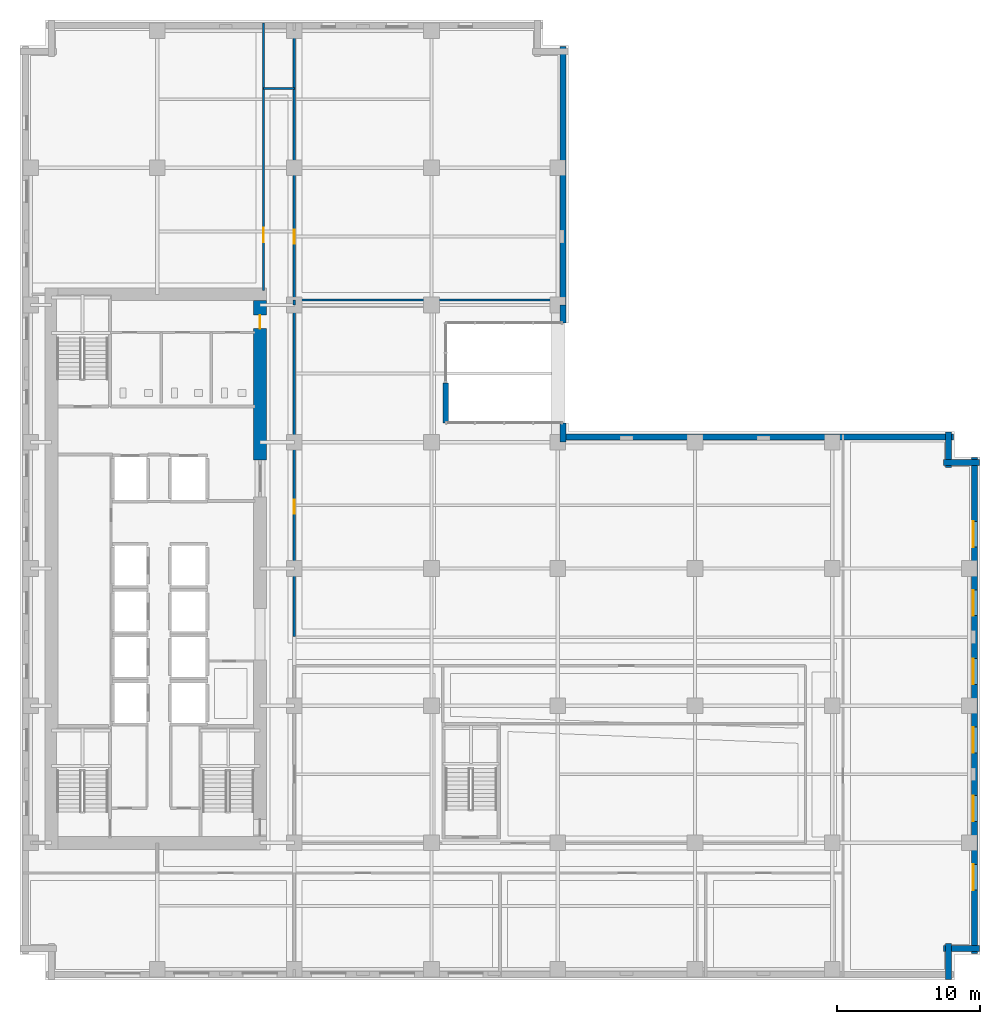
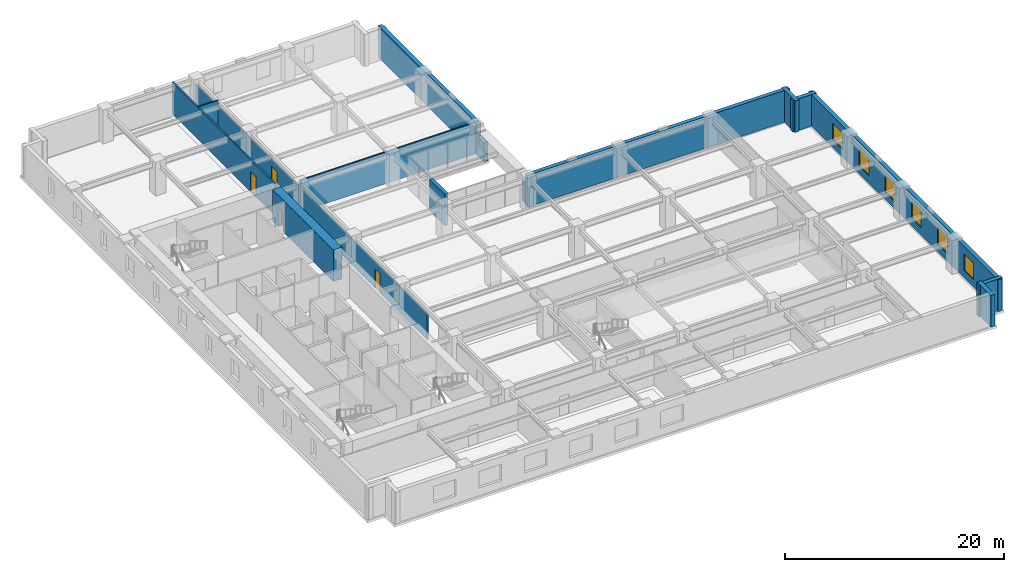
# One storey, part 7 of 14: 17 walls, 6 windows, 4 doors, 10 openings.
"""IFC4 building model written with IfcOpenShell, lengths in metres."""

from ifc_helpers import new_model, si_unit, direction, frame, frame_2d, origin, place, context, subcontext, project, spatial, rectangle, extrude, material, layer, layer_set, type_object, element, fill, save


model = new_model("IFC4")

# Units and contexts
model_context = context("Model", 3, precision=1e-05, world=origin(), true_north=direction((0.0, 1.0)))
body_context = subcontext(model_context, "Body", "Model", "MODEL_VIEW")
ifc_project = project(units=[si_unit("LENGTHUNIT", "METRE"), si_unit("AREAUNIT", "SQUARE_METRE"), si_unit("VOLUMEUNIT", "CUBIC_METRE"), si_unit("PLANEANGLEUNIT", "RADIAN"), si_unit("MASSUNIT", "GRAM", prefix="KILO")], contexts=[model_context])

# Site, building, storey
site_placement = place(None, origin())
site = spatial("IfcSite", under=ifc_project, at=site_placement, CompositionType="ELEMENT")
building_placement = place(site_placement, origin())
building = spatial("IfcBuilding", under=site, at=building_placement, Name="Norrvale University Quadrangle", CompositionType="ELEMENT")
storey_placement = place(building_placement, frame((0.0, 0.0, 62.199951171875)))
storey = spatial("IfcBuildingStorey", under=building, at=storey_placement, Name="L15", CompositionType="ELEMENT", Elevation=62.199951171875)

# Walls
ifc_material_1 = material(Name="Buff Norman Clay Brick Masonry", Category="masonry")
ifc_layer_1 = layer(ifc_material_1, 0.419921875, Name="Buff Norman Clay Brick Masonry")
ifc_layer_set_1 = layer_set([ifc_layer_1], Name="Buff Norman Clay Brick Masonry")
wall_type_1 = type_object("IfcWallType", Name="Wall Buff Brick 420", PredefinedType="SOLIDWALL", material=ifc_layer_set_1)
for number, where, z_axis, x_axis, name in (
    (1, (65.010009765625, 0.0400390625, 0.0), (0.0, 0.0, 1.0), (0.0, 1.0, 0.0), "Exterior Brick Facade Wall L15-02.1"),
    (2, (64.659912109375, 2.18994140625, 0.0), (0.0, 0.0, 1.0), (1.0, 0.0, 0.0), "Exterior Brick Facade Wall L15-03.1"),
):
    element("IfcWall", number, at=place(storey_placement, frame(where, z_axis=z_axis, x_axis=x_axis)), inside=storey, type_object=wall_type_1, Name=name, PredefinedType="SOLIDWALL", context=body_context, shape_type="SweptSolid", body=[
        extrude(rectangle(XDim=2.5, YDim=0.419921875, at=frame_2d((1.25, 0.0))), origin(), (0.0, 0.0, 1.0), 3.5400390625),
    ])

# Wall, openings, windows
wall_1_placement = place(storey_placement, frame((66.81005859375, 1.840087890625, 0.0), z_axis=(0.0, 0.0, 1.0), x_axis=(0.0, 1.0, 0.0)))
wall_1 = element("IfcWall", 3, at=wall_1_placement, inside=storey, type_object=wall_type_1, Name="Exterior Brick Facade Wall L15-04.1", PredefinedType="SOLIDWALL", context=body_context, shape_type="SweptSolid", body=[
    extrude(rectangle(XDim=34.719970703125, YDim=0.419921875, at=frame_2d((17.35986328125, 0.0))), origin(), (0.0, 0.0, 1.0), 3.5400390625),
])
opening_1_placement = place(wall_1_placement, frame((4.4599609375, 0.0, 0.85009765625)))
opening_1 = element("IfcOpeningElement", 4, at=opening_1_placement, cuts=wall_1, Name="Opening W01", PredefinedType="OPENING", context=body_context, shape_type="SweptSolid", body=[
    extrude(rectangle(XDim=1.800048828125, YDim=1.85009765625, at=frame_2d((0.89990234375, 0.925048828125))), frame((0.0, 0.221923828125, 0.0), z_axis=(0.0, -1.0, 0.0), x_axis=(1.0, 0.0, 0.0)), (0.0, 0.0, 1.0), 0.44384765625),
])
opening_2_placement = place(wall_1_placement, frame((9.260009765625, 0.0, 0.85009765625)))
opening_2 = element("IfcOpeningElement", 5, at=opening_2_placement, cuts=wall_1, Name="Opening W01", PredefinedType="OPENING", context=body_context, shape_type="SweptSolid", body=[
    extrude(rectangle(XDim=1.800048828125, YDim=1.85009765625, at=frame_2d((0.89990234375, 0.925048828125))), frame((0.0, 0.221923828125, 0.0), z_axis=(0.0, -1.0, 0.0), x_axis=(1.0, 0.0, 0.0)), (0.0, 0.0, 1.0), 0.44384765625),
])
opening_3_placement = place(wall_1_placement, frame((14.06005859375, 0.0, 0.85009765625)))
opening_3 = element("IfcOpeningElement", 6, at=opening_3_placement, cuts=wall_1, Name="Opening W01", PredefinedType="OPENING", context=body_context, shape_type="SweptSolid", body=[
    extrude(rectangle(XDim=1.800048828125, YDim=1.85009765625, at=frame_2d((0.89990234375, 0.925048828125))), frame((0.0, 0.221923828125, 0.0), z_axis=(0.0, -1.0, 0.0), x_axis=(1.0, 0.0, 0.0)), (0.0, 0.0, 1.0), 0.44384765625),
])
opening_4_placement = place(wall_1_placement, frame((18.860107421875, 0.0, 0.85009765625)))
opening_4 = element("IfcOpeningElement", 7, at=opening_4_placement, cuts=wall_1, Name="Opening W01", PredefinedType="OPENING", context=body_context, shape_type="SweptSolid", body=[
    extrude(rectangle(XDim=1.800048828125, YDim=1.85009765625, at=frame_2d((0.89990234375, 0.925048828125))), frame((0.0, 0.221923828125, 0.0), z_axis=(0.0, -1.0, 0.0), x_axis=(1.0, 0.0, 0.0)), (0.0, 0.0, 1.0), 0.44384765625),
])
opening_5_placement = place(wall_1_placement, frame((23.659912109375, 0.0, 0.85009765625)))
opening_5 = element("IfcOpeningElement", 8, at=opening_5_placement, cuts=wall_1, Name="Opening W01", PredefinedType="OPENING", context=body_context, shape_type="SweptSolid", body=[
    extrude(rectangle(XDim=1.800048828125, YDim=1.85009765625, at=frame_2d((0.89990234375, 0.925048828125))), frame((0.0, 0.221923828125, 0.0), z_axis=(0.0, -1.0, 0.0), x_axis=(1.0, 0.0, 0.0)), (0.0, 0.0, 1.0), 0.44384765625),
])
opening_6_placement = place(wall_1_placement, frame((28.4599609375, 0.0, 0.85009765625)))
opening_6 = element("IfcOpeningElement", 9, at=opening_6_placement, cuts=wall_1, Name="Opening W01", PredefinedType="OPENING", context=body_context, shape_type="SweptSolid", body=[
    extrude(rectangle(XDim=1.800048828125, YDim=1.85009765625, at=frame_2d((0.89990234375, 0.925048828125))), frame((0.0, 0.221923828125, 0.0), z_axis=(0.0, -1.0, 0.0), x_axis=(1.0, 0.0, 0.0)), (0.0, 0.0, 1.0), 0.44384765625),
])
ifc_material_2 = material(Name="Triple Low-E Argon Glazing", Category="glass")
window_type = type_object("IfcWindowType", Name="Window Academic 1800x2300", PartitioningType="DOUBLE_PANEL_VERTICAL", PredefinedType="WINDOW", material=ifc_material_2)
window_1_placement = place(opening_1_placement, origin())
window_1 = element("IfcWindow", 10, at=window_1_placement, inside=storey, type_object=window_type, Name="Window Academic 1800x2300 WIN-L15-E04-1-01", OverallHeight=1.85009765625, OverallWidth=1.800048828125, PartitioningType="DOUBLE_PANEL_VERTICAL", PredefinedType="WINDOW", context=body_context, shape_type="SweptSolid", body=[
    extrude(rectangle(XDim=1.800048828125, YDim=1.85009765625, at=frame_2d((0.89990234375, 0.925048828125))), frame((0.0, 0.110107421875, 0.0), z_axis=(0.0, -1.0, 0.0), x_axis=(1.0, 0.0, 0.0)), (0.0, 0.0, 1.0), 0.06005859375),
])
fill(opening_1, window_1)
window_2_placement = place(opening_2_placement, origin())
window_2 = element("IfcWindow", 11, at=window_2_placement, inside=storey, type_object=window_type, Name="Window Academic 1800x2300 WIN-L15-E04-1-02", OverallHeight=1.85009765625, OverallWidth=1.800048828125, PartitioningType="DOUBLE_PANEL_VERTICAL", PredefinedType="WINDOW", context=body_context, shape_type="SweptSolid", body=[
    extrude(rectangle(XDim=1.800048828125, YDim=1.85009765625, at=frame_2d((0.89990234375, 0.925048828125))), frame((0.0, 0.110107421875, 0.0), z_axis=(0.0, -1.0, 0.0), x_axis=(1.0, 0.0, 0.0)), (0.0, 0.0, 1.0), 0.06005859375),
])
fill(opening_2, window_2)
window_3_placement = place(opening_3_placement, origin())
window_3 = element("IfcWindow", 12, at=window_3_placement, inside=storey, type_object=window_type, Name="Window Academic 1800x2300 WIN-L15-E04-1-03", OverallHeight=1.85009765625, OverallWidth=1.800048828125, PartitioningType="DOUBLE_PANEL_VERTICAL", PredefinedType="WINDOW", context=body_context, shape_type="SweptSolid", body=[
    extrude(rectangle(XDim=1.800048828125, YDim=1.85009765625, at=frame_2d((0.89990234375, 0.925048828125))), frame((0.0, 0.110107421875, 0.0), z_axis=(0.0, -1.0, 0.0), x_axis=(1.0, 0.0, 0.0)), (0.0, 0.0, 1.0), 0.06005859375),
])
fill(opening_3, window_3)
window_4_placement = place(opening_4_placement, origin())
window_4 = element("IfcWindow", 13, at=window_4_placement, inside=storey, type_object=window_type, Name="Window Academic 1800x2300 WIN-L15-E04-1-04", OverallHeight=1.85009765625, OverallWidth=1.800048828125, PartitioningType="DOUBLE_PANEL_VERTICAL", PredefinedType="WINDOW", context=body_context, shape_type="SweptSolid", body=[
    extrude(rectangle(XDim=1.800048828125, YDim=1.85009765625, at=frame_2d((0.89990234375, 0.925048828125))), frame((0.0, 0.110107421875, 0.0), z_axis=(0.0, -1.0, 0.0), x_axis=(1.0, 0.0, 0.0)), (0.0, 0.0, 1.0), 0.06005859375),
])
fill(opening_4, window_4)
window_5_placement = place(opening_5_placement, origin())
window_5 = element("IfcWindow", 14, at=window_5_placement, inside=storey, type_object=window_type, Name="Window Academic 1800x2300 WIN-L15-E04-1-05", OverallHeight=1.85009765625, OverallWidth=1.800048828125, PartitioningType="DOUBLE_PANEL_VERTICAL", PredefinedType="WINDOW", context=body_context, shape_type="SweptSolid", body=[
    extrude(rectangle(XDim=1.800048828125, YDim=1.85009765625, at=frame_2d((0.89990234375, 0.925048828125))), frame((0.0, 0.110107421875, 0.0), z_axis=(0.0, -1.0, 0.0), x_axis=(1.0, 0.0, 0.0)), (0.0, 0.0, 1.0), 0.06005859375),
])
fill(opening_5, window_5)
window_6_placement = place(opening_6_placement, origin())
window_6 = element("IfcWindow", 15, at=window_6_placement, inside=storey, type_object=window_type, Name="Window Academic 1800x2300 WIN-L15-E04-1-06", OverallHeight=1.85009765625, OverallWidth=1.800048828125, PartitioningType="DOUBLE_PANEL_VERTICAL", PredefinedType="WINDOW", context=body_context, shape_type="SweptSolid", body=[
    extrude(rectangle(XDim=1.800048828125, YDim=1.85009765625, at=frame_2d((0.89990234375, 0.925048828125))), frame((0.0, 0.110107421875, 0.0), z_axis=(0.0, -1.0, 0.0), x_axis=(1.0, 0.0, 0.0)), (0.0, 0.0, 1.0), 0.06005859375),
])
fill(opening_6, window_6)

# Walls
for number, where, z_axis, x_axis, name in (
    (16, (67.159912109375, 36.2099609375, 0.0), (0.0, 0.0, 1.0), (-1.0, 0.0, 0.0), "Exterior Brick Facade Wall L15-05.1"),
    (17, (65.010009765625, 35.860107421875, 0.0), (0.0, 0.0, 1.0), (0.0, 1.0, 0.0), "Exterior Brick Facade Wall L15-06.1"),
):
    element("IfcWall", number, at=place(storey_placement, frame(where, z_axis=z_axis, x_axis=x_axis)), inside=storey, type_object=wall_type_1, Name=name, PredefinedType="SOLIDWALL", context=body_context, shape_type="SweptSolid", body=[
        extrude(rectangle(XDim=2.5, YDim=0.419921875, at=frame_2d((1.25, 0.0))), origin(), (0.0, 0.0, 1.0), 3.5400390625),
    ])
wall_2_placement = place(storey_placement, frame((65.360107421875, 38.010009765625, 0.0), z_axis=(0.0, 0.0, 1.0), x_axis=(-1.0, 0.0, 0.0)))
element("IfcWall", 18, at=wall_2_placement, inside=storey, type_object=wall_type_1, Name="Exterior Brick Facade Wall L15-07.1", PredefinedType="SOLIDWALL", context=body_context, shape_type="SweptSolid", body=[
    extrude(rectangle(XDim=27.7001953125, YDim=0.419921875, at=frame_2d((13.85009765625, 0.0))), origin(), (0.0, 0.0, 1.0), 3.5400390625),
])
wall_3_placement = place(storey_placement, frame((38.010009765625, 37.659912109375, 0.0), z_axis=(0.0, 0.0, 1.0), x_axis=(0.0, 1.0, 0.0)))
element("IfcWall", 19, at=wall_3_placement, inside=storey, type_object=wall_type_1, Name="Exterior Brick Facade Wall L15-08.1", PredefinedType="SOLIDWALL", context=body_context, shape_type="SweptSolid", body=[
    extrude(rectangle(XDim=1.340087890625, YDim=0.419921875, at=frame_2d((0.669921875, 0.0))), origin(), (0.0, 0.0, 1.0), 2.14013671875),
])
wall_4_placement = place(storey_placement, frame((38.010009765625, 46.0, 0.0), z_axis=(0.0, 0.0, 1.0), x_axis=(0.0, 1.0, 0.0)))
element("IfcWall", 20, at=wall_4_placement, inside=storey, type_object=wall_type_1, Name="Exterior Brick Facade Wall L15-08.2", PredefinedType="SOLIDWALL", context=body_context, shape_type="SweptSolid", body=[
    extrude(rectangle(XDim=1.25, YDim=0.419921875, at=frame_2d((0.625, 0.0))), origin(), (0.0, 0.0, 1.0), 2.14013671875),
])
wall_5_placement = place(storey_placement, frame((29.800048828125, 39.0, 0.0), z_axis=(0.0, 0.0, 1.0), x_axis=(0.0, 1.0, 0.0)))
element("IfcWall", 21, at=wall_5_placement, inside=storey, type_object=wall_type_1, Name="Sky Garden Loggia Access Wall L15", PredefinedType="SOLIDWALL", context=body_context, shape_type="SweptSolid", body=[
    extrude(rectangle(XDim=2.800048828125, YDim=0.360107421875, at=frame_2d((1.39990234375, 0.0))), origin(), (0.0, 0.0, 1.0), 3.5400390625),
])
wall_6_placement = place(storey_placement, frame((38.010009765625, 47.25, 0.0), z_axis=(0.0, 0.0, 1.0), x_axis=(0.0, 1.0, 0.0)))
element("IfcWall", 22, at=wall_6_placement, inside=storey, type_object=wall_type_1, Name="Exterior Brick Facade Wall L15-08.2 B2", PredefinedType="SOLIDWALL", context=body_context, shape_type="SweptSolid", body=[
    extrude(rectangle(XDim=18.110107421875, YDim=0.419921875, at=frame_2d((9.05517578125, 0.0))), origin(), (0.0, 0.0, 1.0), 3.5400390625),
])

# Wall, opening, door
ifc_material_3 = material(Name="Concrete C80/95", Category="concrete")
ifc_layer_2 = layer(ifc_material_3, 0.89990234375, Name="Concrete C80/95")
ifc_layer_set_2 = layer_set([ifc_layer_2], Name="Concrete C80/95")
wall_type_2 = type_object("IfcWallType", Name="Wall Core 900", PredefinedType="SHEAR", material=ifc_layer_set_2)
wall_7_placement = place(storey_placement, frame((16.800048828125, 36.39990234375, 0.0), z_axis=(0.0, 0.0, 1.0), x_axis=(0.0, 1.0, 0.0)))
wall_7 = element("IfcWall", 23, at=wall_7_placement, inside=storey, type_object=wall_type_2, Name="Tower Core Shear Wall L15-E3", PredefinedType="SHEAR", context=body_context, shape_type="SweptSolid", body=[
    extrude(rectangle(XDim=11.150146484375, YDim=0.89990234375, at=frame_2d((5.5751953125, 0.0))), origin(), (0.0, 0.0, 1.0), 3.5400390625),
])
opening_7_placement = place(wall_7_placement, frame((9.199951171875, 0.0, 0.0)))
opening_7 = element("IfcOpeningElement", 24, at=opening_7_placement, cuts=wall_7, Name="Opening D07", PredefinedType="OPENING", context=body_context, shape_type="SweptSolid", body=[
    extrude(rectangle(XDim=0.949951171875, YDim=2.14990234375, at=frame_2d((0.47509765625, 1.074951171875))), frame((0.0, 0.4619140625, 0.0), z_axis=(0.0, -1.0, 0.0), x_axis=(1.0, 0.0, 0.0)), (0.0, 0.0, 1.0), 0.923828125),
])
ifc_material_4 = material(Name="Solid-Core Maple Door", Category="wood")
door_type_1 = type_object("IfcDoorType", Name="Door Office 950x2150", OperationType="NOTDEFINED", PredefinedType="DOOR", material=ifc_material_4)
door_1_placement = place(opening_7_placement, origin())
door_1 = element("IfcDoor", 25, at=door_1_placement, inside=storey, type_object=door_type_1, Name="Door Office 950x2150 DR-L15-NECORR", OperationType="SINGLE_SWING_RIGHT", OverallHeight=2.14990234375, OverallWidth=0.949951171875, PredefinedType="DOOR", context=body_context, shape_type="SweptSolid", body=[
    extrude(rectangle(XDim=0.949951171875, YDim=2.14990234375, at=frame_2d((0.47509765625, 1.074951171875))), frame((0.0, 0.02490234375, 0.0), z_axis=(0.0, -1.0, 0.0), x_axis=(1.0, 0.0, 0.0)), (0.0, 0.0, 1.0), 0.050048828125),
])
fill(opening_7, door_1)

# Walls
ifc_material_5 = material(Name="Standard Academic Gypsum Partition")
ifc_layer_3 = layer(ifc_material_5, 0.125, Name="Standard Academic Gypsum Partition")
ifc_layer_set_3 = layer_set([ifc_layer_3], Name="Standard Academic Gypsum Partition")
wall_type_3 = type_object("IfcWallType", Name="Wall Gypsum Academic 125", PredefinedType="PARTITIONING", material=ifc_layer_set_3)
wall_8_placement = place(storey_placement, frame((19.199951171875, 47.60009765625, 0.0), z_axis=(0.0, 0.0, 1.0), x_axis=(1.0, 0.0, 0.0)))
element("IfcWall", 26, at=wall_8_placement, inside=storey, type_object=wall_type_3, Name="Interior Partition WL-L15-SG-NSEP", PredefinedType="PARTITIONING", context=body_context, shape_type="SweptSolid", body=[
    extrude(rectangle(XDim=18.97998046875, YDim=0.125, at=frame_2d((9.489990234375, 0.0))), origin(), (0.0, 0.0, 1.0), 3.5400390625),
])
ifc_material_6 = material(Name="Fire-Rated Gypsum Stud Partition")
ifc_layer_4 = layer(ifc_material_6, 0.14990234375, Name="Fire-Rated Gypsum Stud Partition")
ifc_layer_set_4 = layer_set([ifc_layer_4], Name="Fire-Rated Gypsum Stud Partition")
wall_type_4 = type_object("IfcWallType", Name="Wall Gypsum Corridor 150", PredefinedType="PARTITIONING", material=ifc_layer_set_4)
wall_9_placement = place(storey_placement, frame((17.050048828125, 62.39990234375, 0.0), z_axis=(0.0, 0.0, 1.0), x_axis=(1.0, 0.0, 0.0)))
element("IfcWall", 27, at=wall_9_placement, inside=storey, type_object=wall_type_4, Name="Interior Partition WL-L15-CN-END", PredefinedType="PARTITIONING", context=body_context, shape_type="SweptSolid", body=[
    extrude(rectangle(XDim=2.14990234375, YDim=0.14990234375, at=frame_2d((1.074951171875, 0.0))), origin(), (0.0, 0.0, 1.0), 3.5400390625),
])

# Wall, opening, door
wall_10_placement = place(storey_placement, frame((19.199951171875, 24.050048828125, 0.0), z_axis=(0.0, 0.0, 1.0), x_axis=(0.0, 1.0, 0.0)))
wall_10 = element("IfcWall", 28, at=wall_10_placement, inside=storey, type_object=wall_type_4, Name="Interior Partition WL-L15-MNECW", PredefinedType="PARTITIONING", context=body_context, shape_type="SweptSolid", body=[
    extrude(rectangle(XDim=23.199951171875, YDim=0.14990234375, at=frame_2d((11.60009765625, 0.0))), origin(), (0.0, 0.0, 1.0), 2.923095703125),
])
opening_8_placement = place(wall_10_placement, frame((8.60009765625, 0.0, 0.0)))
opening_8 = element("IfcOpeningElement", 29, at=opening_8_placement, cuts=wall_10, Name="Opening D07", PredefinedType="OPENING", context=body_context, shape_type="SweptSolid", body=[
    extrude(rectangle(XDim=0.949951171875, YDim=2.14990234375, at=frame_2d((0.47509765625, 1.074951171875))), frame((0.0, 0.0869140625, 0.0), z_axis=(0.0, -1.0, 0.0), x_axis=(1.0, 0.0, 0.0)), (0.0, 0.0, 1.0), 0.173828125),
])
door_2_placement = place(opening_8_placement, origin())
door_2 = element("IfcDoor", 30, at=door_2_placement, inside=storey, type_object=door_type_1, Name="Door Office 950x2150 DR-L15-MNE01", OperationType="SINGLE_SWING_RIGHT", OverallHeight=2.14990234375, OverallWidth=0.949951171875, PredefinedType="DOOR", context=body_context, shape_type="SweptSolid", body=[
    extrude(rectangle(XDim=0.949951171875, YDim=2.14990234375, at=frame_2d((0.47509765625, 1.074951171875))), frame((0.0, 0.02490234375, 0.0), z_axis=(0.0, -1.0, 0.0), x_axis=(1.0, 0.0, 0.0)), (0.0, 0.0, 1.0), 0.050048828125),
])
fill(opening_8, door_2)

# Wall
wall_11_placement = place(storey_placement, frame((19.199951171875, 47.25, 0.0), z_axis=(0.0, 0.0, 1.0), x_axis=(0.0, 1.0, 0.0)))
element("IfcWall", 31, at=wall_11_placement, inside=storey, type_object=wall_type_4, Name="Interior Partition WL-L15-MNECW-B2", PredefinedType="PARTITIONING", context=body_context, shape_type="SweptSolid", body=[
    extrude(rectangle(XDim=0.35009765625, YDim=0.14990234375, at=frame_2d((0.175048828125, 0.0))), origin(), (0.0, 0.0, 1.0), 3.5400390625),
])

# Wall, opening, door
wall_12_placement = place(storey_placement, frame((19.199951171875, 47.60009765625, 0.0), z_axis=(0.0, 0.0, 1.0), x_axis=(0.0, 1.0, 0.0)))
wall_12 = element("IfcWall", 32, at=wall_12_placement, inside=storey, type_object=wall_type_4, Name="Interior Partition WL-L15-NECW", PredefinedType="PARTITIONING", context=body_context, shape_type="SweptSolid", body=[
    extrude(rectangle(XDim=18.849853515625, YDim=0.14990234375, at=frame_2d((9.4248046875, 0.0))), origin(), (0.0, 0.0, 1.0), 2.923095703125),
])
opening_9_placement = place(wall_12_placement, frame((3.949951171875, 0.0, 0.0)))
opening_9 = element("IfcOpeningElement", 33, at=opening_9_placement, cuts=wall_12, Name="Opening D07", PredefinedType="OPENING", context=body_context, shape_type="SweptSolid", body=[
    extrude(rectangle(XDim=0.949951171875, YDim=2.14990234375, at=frame_2d((0.47509765625, 1.074951171875))), frame((0.0, 0.0869140625, 0.0), z_axis=(0.0, -1.0, 0.0), x_axis=(1.0, 0.0, 0.0)), (0.0, 0.0, 1.0), 0.173828125),
])
door_3_placement = place(opening_9_placement, origin())
door_3 = element("IfcDoor", 34, at=door_3_placement, inside=storey, type_object=door_type_1, Name="Door Office 950x2150 DR-L15-NE01", OperationType="SINGLE_SWING_RIGHT", OverallHeight=2.14990234375, OverallWidth=0.949951171875, PredefinedType="DOOR", context=body_context, shape_type="SweptSolid", body=[
    extrude(rectangle(XDim=0.949951171875, YDim=2.14990234375, at=frame_2d((0.47509765625, 1.074951171875))), frame((0.0, 0.02490234375, 0.0), z_axis=(0.0, -1.0, 0.0), x_axis=(1.0, 0.0, 0.0)), (0.0, 0.0, 1.0), 0.050048828125),
])
fill(opening_9, door_3)

wall_13_placement = place(storey_placement, frame((17.050048828125, 48.25, 0.0), z_axis=(0.0, 0.0, 1.0), x_axis=(0.0, 1.0, 0.0)))
wall_13 = element("IfcWall", 35, at=wall_13_placement, inside=storey, type_object=wall_type_4, Name="Interior Partition WL-L15-NWCW", PredefinedType="PARTITIONING", context=body_context, shape_type="SweptSolid", body=[
    extrude(rectangle(XDim=18.72998046875, YDim=0.14990234375, at=frame_2d((9.364990234375, 0.0))), origin(), (0.0, 0.0, 1.0), 3.5400390625),
])
opening_10_placement = place(wall_13_placement, frame((3.39990234375, 0.0, 0.0)))
opening_10 = element("IfcOpeningElement", 36, at=opening_10_placement, cuts=wall_13, Name="Opening D04", PredefinedType="OPENING", context=body_context, shape_type="SweptSolid", body=[
    extrude(rectangle(XDim=1.0, YDim=2.199951171875, at=frame_2d((0.5, 1.10009765625))), frame((0.0, 0.0869140625, 0.0), z_axis=(0.0, -1.0, 0.0), x_axis=(1.0, 0.0, 0.0)), (0.0, 0.0, 1.0), 0.173828125),
])
ifc_material_7 = material(Name="Solid-Core Oak Fire Door", Category="wood")
door_type_2 = type_object("IfcDoorType", Name="Door Corridor 1000x2200", OperationType="NOTDEFINED", PredefinedType="DOOR", material=ifc_material_7)
door_4_placement = place(opening_10_placement, origin())
door_4 = element("IfcDoor", 37, at=door_4_placement, inside=storey, type_object=door_type_2, Name="Door Corridor 1000x2200 DR-L15-NW01", OperationType="SINGLE_SWING_RIGHT", OverallHeight=2.199951171875, OverallWidth=1.0, PredefinedType="DOOR", context=body_context, shape_type="SweptSolid", body=[
    extrude(rectangle(XDim=1.0, YDim=2.199951171875, at=frame_2d((0.5, 1.10009765625))), frame((0.0, 0.02490234375, 0.0), z_axis=(0.0, -1.0, 0.0), x_axis=(1.0, 0.0, 0.0)), (0.0, 0.0, 1.0), 0.050048828125),
])
fill(opening_10, door_4)

save(model, "model.ifc")
